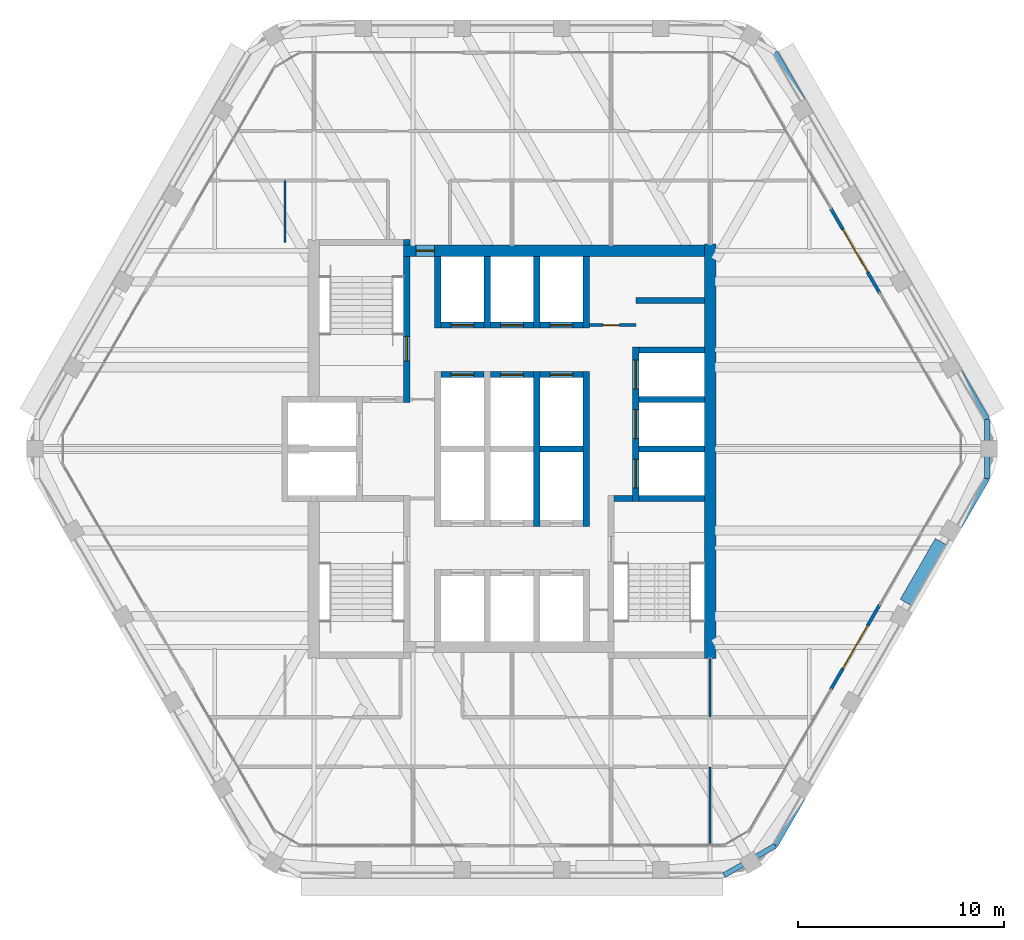
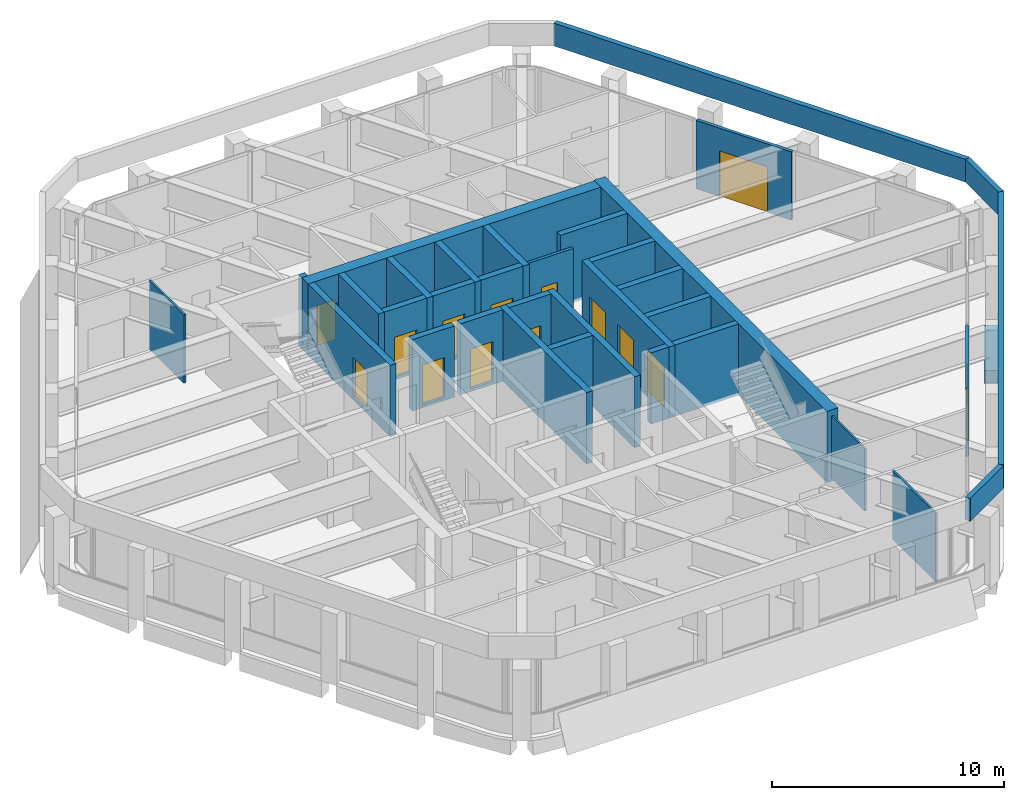
# One storey, part 9 of 14: 35 walls, 14 doors, 14 openings.
"""IFC4 building model written with IfcOpenShell, lengths in metres."""

from ifc_helpers import new_model, si_unit, direction, frame, frame_2d, origin, place, context, subcontext, project, spatial, rectangle, extrude, material, layer, layer_set, type_object, element, fill, save


model = new_model("IFC4")

# Units and contexts
model_context = context("Model", 3, precision=1e-05, world=origin(), true_north=direction((0.0, 1.0)))
body_context = subcontext(model_context, "Body", "Model", "MODEL_VIEW")
ifc_project = project(units=[si_unit("LENGTHUNIT", "METRE"), si_unit("AREAUNIT", "SQUARE_METRE"), si_unit("VOLUMEUNIT", "CUBIC_METRE"), si_unit("PLANEANGLEUNIT", "RADIAN"), si_unit("MASSUNIT", "GRAM", prefix="KILO")], contexts=[model_context])

# Site, building, storey
site_placement = place(None, origin())
site = spatial("IfcSite", under=ifc_project, at=site_placement, CompositionType="ELEMENT")
building_placement = place(site_placement, origin())
building = spatial("IfcBuilding", under=site, at=building_placement, Name="Kolab Exchange Tower", CompositionType="ELEMENT")
storey_placement = place(building_placement, frame((0.0, 0.0, 293.0)))
storey = spatial("IfcBuildingStorey", under=building, at=storey_placement, Name="L66", CompositionType="ELEMENT", Elevation=293.0)

# Wall, opening, door
ifc_material_1 = material(Name="Concrete C50/60", Category="concrete")
ifc_layer_1 = layer(ifc_material_1, 0.550048828125)
ifc_layer_set_1 = layer_set([ifc_layer_1], Name="Concrete C50/60")
wall_type_1 = type_object("IfcWallType", Name="CORE WALL 550 C50/60", PredefinedType="SHEAR", material=ifc_layer_set_1)
wall_1_placement = place(storey_placement, frame((-5.25, 9.60009765625, -0.14990234375), z_axis=(0.0, 0.0, 1.0), x_axis=(1.0, 0.0, 0.0)))
wall_1 = element("IfcWall", 1, at=wall_1_placement, inside=storey, type_object=wall_type_1, Name="wall/L66/core/031", PredefinedType="SHEAR", context=body_context, shape_type="SweptSolid", body=[
    extrude(rectangle(XDim=14.574951171875, YDim=0.550048828125, at=frame_2d((7.28759765625, 0.0))), origin(), (0.0, 0.0, 1.0), 3.75),
])
opening_1_placement = place(wall_1_placement, frame((0.60009765625, 0.0, 0.14990234375)))
opening_1 = element("IfcOpeningElement", 2, at=opening_1_placement, cuts=wall_1, Name="Opening D6-298", PredefinedType="OPENING", context=body_context, shape_type="SweptSolid", body=[
    extrude(rectangle(XDim=0.89990234375, YDim=2.10009765625, at=frame_2d((0.449951171875, 1.050048828125))), frame((0.0, 0.28515625, 0.0), z_axis=(0.0, -1.0, 0.0), x_axis=(1.0, 0.0, 0.0)), (0.0, 0.0, 1.0), 0.570068359375),
])
ifc_material_2 = material(Name="Steel S235", Category="steel")
door_type_1 = type_object("IfcDoorType", Name="CORE DOOR 900 EI 120", OperationType="SINGLE_SWING_LEFT", PredefinedType="DOOR", material=ifc_material_2)
door_1_placement = place(opening_1_placement, frame((0.89990234375, 0.0, 0.0), z_axis=(0.0, 0.0, 1.0), x_axis=(-1.0, 0.0, 0.0)))
door_1 = element("IfcDoor", 3, at=door_1_placement, inside=storey, type_object=door_type_1, Name="Core lobby door", OperationType="SINGLE_SWING_RIGHT", OverallHeight=2.10009765625, OverallWidth=0.89990234375, PredefinedType="DOOR", context=body_context, shape_type="SweptSolid", body=[
    extrude(rectangle(XDim=0.89990234375, YDim=2.10009765625, at=frame_2d((0.449951171875, 1.050048828125))), frame((0.0, 0.02490234375, 0.0), z_axis=(0.0, -1.0, 0.0), x_axis=(1.0, 0.0, 0.0)), (0.0, 0.0, 1.0), 0.050048828125),
])
fill(opening_1, door_1)

# Wall
wall_2_placement = place(storey_placement, frame((9.60009765625, -10.14990234375, -0.14990234375), z_axis=(0.0, 0.0, 1.0), x_axis=(0.0, 1.0, 0.0)))
element("IfcWall", 4, at=wall_2_placement, inside=storey, type_object=wall_type_1, Name="wall/L66/core/058", PredefinedType="SHEAR", context=body_context, shape_type="SweptSolid", body=[
    extrude(rectangle(XDim=20.074951171875, YDim=0.550048828125, at=frame_2d((10.03759765625, 0.0))), origin(), (0.0, 0.0, 1.0), 3.75),
])

# Wall, opening, door
ifc_material_3 = material(Name="Aluminium EN AW-6063 T6", Category="aluminium")
ifc_layer_2 = layer(ifc_material_3, 0.159912109375)
ifc_layer_set_2 = layer_set([ifc_layer_2], Name="Aluminium EN AW-6063 T6")
wall_type_2 = type_object("IfcWallType", Name="DOOR SURROUND WALL 160 ALUMINIUM FRAMED", PredefinedType="PARTITIONING", material=ifc_layer_set_2)
wall_3_placement = place(storey_placement, frame((15.44677734375, 11.65478515625, 0.0), z_axis=(0.0, 0.0, 1.0), x_axis=(0.499978080042, -0.866038058908, 0.0)))
wall_3 = element("IfcWall", 5, at=wall_3_placement, inside=storey, type_object=wall_type_2, Name="Door surround wall", PredefinedType="PARTITIONING", context=body_context, shape_type="SweptSolid", body=[
    extrude(rectangle(XDim=4.739990234375, YDim=0.159912109375, at=frame_2d((2.3701171875, 0.0))), origin(), (0.0, 0.0, 1.0), 3.60009765625),
])
opening_2_placement = place(wall_3_placement, frame((1.169921875, 0.0, 0.0)))
opening_2 = element("IfcOpeningElement", 6, at=opening_2_placement, cuts=wall_3, Name="Opening GD1-099", PredefinedType="OPENING", context=body_context, shape_type="SweptSolid", body=[
    extrude(rectangle(XDim=2.39990234375, YDim=2.39990234375, at=frame_2d((1.199951171875, 1.199951171875))), frame((0.0, 0.08984375, 0.0), z_axis=(0.0, -1.0, 0.0), x_axis=(1.0, 0.0, 0.0)), (0.0, 0.0, 1.0), 0.179931640625),
])
door_type_2 = type_object("IfcDoorType", Name="LOGGIA SLIDING GLASS DOOR 2400 X 2400", OperationType="DOUBLE_DOOR_SINGLE_SWING", PredefinedType="DOOR", material=ifc_material_3)
door_2_placement = place(opening_2_placement, origin())
door_2 = element("IfcDoor", 7, at=door_2_placement, inside=storey, type_object=door_type_2, Name="Loggia door", OperationType="DOUBLE_DOOR_SLIDING", OverallHeight=2.39990234375, OverallWidth=2.39990234375, PredefinedType="DOOR", context=body_context, shape_type="SweptSolid", body=[
    extrude(rectangle(XDim=2.39990234375, YDim=2.39990234375, at=frame_2d((1.199951171875, 1.199951171875))), frame((0.0, 0.02490234375, 0.0), z_axis=(0.0, -1.0, 0.0), x_axis=(1.0, 0.0, 0.0)), (0.0, 0.0, 1.0), 0.050048828125),
])
fill(opening_2, door_2)

wall_4_placement = place(storey_placement, frame((17.816650390625, -7.5498046875, 0.0), z_axis=(0.0, 0.0, 1.0), x_axis=(-0.499978080042, -0.866038058908, 0.0)))
wall_4 = element("IfcWall", 8, at=wall_4_placement, inside=storey, type_object=wall_type_2, Name="Door surround wall", PredefinedType="PARTITIONING", context=body_context, shape_type="SweptSolid", body=[
    extrude(rectangle(XDim=4.739990234375, YDim=0.159912109375, at=frame_2d((2.3701171875, 0.0))), origin(), (0.0, 0.0, 1.0), 3.60009765625),
])
opening_3_placement = place(wall_4_placement, frame((1.169921875, 0.0, 0.0)))
opening_3 = element("IfcOpeningElement", 9, at=opening_3_placement, cuts=wall_4, Name="Opening GD1-100", PredefinedType="OPENING", context=body_context, shape_type="SweptSolid", body=[
    extrude(rectangle(XDim=2.39990234375, YDim=2.39990234375, at=frame_2d((1.199951171875, 1.199951171875))), frame((0.0, 0.08984375, 0.0), z_axis=(0.0, -1.0, 0.0), x_axis=(1.0, 0.0, 0.0)), (0.0, 0.0, 1.0), 0.179931640625),
])
door_3_placement = place(opening_3_placement, origin())
door_3 = element("IfcDoor", 10, at=door_3_placement, inside=storey, type_object=door_type_2, Name="Loggia door", OperationType="DOUBLE_DOOR_SLIDING", OverallHeight=2.39990234375, OverallWidth=2.39990234375, PredefinedType="DOOR", context=body_context, shape_type="SweptSolid", body=[
    extrude(rectangle(XDim=2.39990234375, YDim=2.39990234375, at=frame_2d((1.199951171875, 1.199951171875))), frame((0.0, 0.02490234375, 0.0), z_axis=(0.0, -1.0, 0.0), x_axis=(1.0, 0.0, 0.0)), (0.0, 0.0, 1.0), 0.050048828125),
])
fill(opening_3, door_3)

# Walls
ifc_layer_3 = layer(ifc_material_1, 0.300048828125)
ifc_layer_set_3 = layer_set([ifc_layer_3], Name="Concrete C50/60")
wall_type_3 = type_object("IfcWallType", Name="LIFT SHAFT WALL 300 C50/60", PredefinedType="STANDARD", material=ifc_layer_set_3)
wall_5_placement = place(storey_placement, frame((1.35009765625, 0.0, -0.14990234375), z_axis=(0.0, 0.0, 1.0), x_axis=(1.0, 0.0, 0.0)))
element("IfcWall", 11, at=wall_5_placement, inside=storey, type_object=wall_type_3, Name="wall/L66/core/017", PredefinedType="STANDARD", context=body_context, shape_type="SweptSolid", body=[
    extrude(rectangle(XDim=2.099853515625, YDim=0.300048828125, at=frame_2d((1.0498046875, 0.0))), origin(), (0.0, 0.0, 1.0), 3.75),
])
for number, where, z_axis, x_axis, name in (
    (12, (6.14990234375, 0.0, -0.14990234375), (0.0, 0.0, 1.0), (1.0, 0.0, 0.0), "wall/L66/core/018"),
    (13, (6.14990234375, 2.39990234375, -0.14990234375), (0.0, 0.0, 1.0), (1.0, 0.0, 0.0), "wall/L66/core/022"),
):
    element("IfcWall", number, at=place(storey_placement, frame(where, z_axis=z_axis, x_axis=x_axis)), inside=storey, type_object=wall_type_3, Name=name, PredefinedType="STANDARD", context=body_context, shape_type="SweptSolid", body=[
        extrude(rectangle(XDim=3.175048828125, YDim=0.300048828125, at=frame_2d((1.58740234375, 0.0))), origin(), (0.0, 0.0, 1.0), 3.75),
    ])

# Wall, opening, door
wall_6_placement = place(storey_placement, frame((-3.449951171875, 3.60009765625, -0.14990234375), z_axis=(0.0, 0.0, 1.0), x_axis=(1.0, 0.0, 0.0)))
wall_6 = element("IfcWall", 14, at=wall_6_placement, inside=storey, type_object=wall_type_3, Name="wall/L66/core/023", PredefinedType="STANDARD", context=body_context, shape_type="SweptSolid", body=[
    extrude(rectangle(XDim=2.099853515625, YDim=0.300048828125, at=frame_2d((1.0498046875, 0.0))), origin(), (0.0, 0.0, 1.0), 3.75),
])
opening_4_placement = place(wall_6_placement, frame((0.5, 0.0, 0.14990234375)))
opening_4 = element("IfcOpeningElement", 15, at=opening_4_placement, cuts=wall_6, Name="Opening LD1-127", PredefinedType="OPENING", context=body_context, shape_type="SweptSolid", body=[
    extrude(rectangle(XDim=1.10009765625, YDim=2.10009765625, at=frame_2d((0.550048828125, 1.050048828125))), frame((0.0, 0.16015625, 0.0), z_axis=(0.0, -1.0, 0.0), x_axis=(1.0, 0.0, 0.0)), (0.0, 0.0, 1.0), 0.320068359375),
])
ifc_material_4 = material(Name="Stainless steel 316", Category="steel")
door_type_3 = type_object("IfcDoorType", Name="LANDING DOOR 1100 PASSENGER", OperationType="DOUBLE_DOOR_SLIDING", PredefinedType="DOOR", material=ifc_material_4)
door_4_placement = place(opening_4_placement, origin())
door_4 = element("IfcDoor", 16, at=door_4_placement, inside=storey, type_object=door_type_3, Name="Landing door HR4", OperationType="DOUBLE_DOOR_SLIDING", OverallHeight=2.10009765625, OverallWidth=1.10009765625, PredefinedType="DOOR", context=body_context, shape_type="SweptSolid", body=[
    extrude(rectangle(XDim=1.10009765625, YDim=2.10009765625, at=frame_2d((0.550048828125, 1.050048828125))), frame((0.0, 0.02490234375, 0.0), z_axis=(0.0, -1.0, 0.0), x_axis=(1.0, 0.0, 0.0)), (0.0, 0.0, 1.0), 0.050048828125),
])
fill(opening_4, door_4)

wall_7_placement = place(storey_placement, frame((-1.050048828125, 3.60009765625, -0.14990234375), z_axis=(0.0, 0.0, 1.0), x_axis=(1.0, 0.0, 0.0)))
wall_7 = element("IfcWall", 17, at=wall_7_placement, inside=storey, type_object=wall_type_3, Name="wall/L66/core/024", PredefinedType="STANDARD", context=body_context, shape_type="SweptSolid", body=[
    extrude(rectangle(XDim=2.10009765625, YDim=0.300048828125, at=frame_2d((1.050048828125, 0.0))), origin(), (0.0, 0.0, 1.0), 3.75),
])
opening_5_placement = place(wall_7_placement, frame((0.5, 0.0, 0.14990234375)))
opening_5 = element("IfcOpeningElement", 18, at=opening_5_placement, cuts=wall_7, Name="Opening LD1-128", PredefinedType="OPENING", context=body_context, shape_type="SweptSolid", body=[
    extrude(rectangle(XDim=1.10009765625, YDim=2.10009765625, at=frame_2d((0.550048828125, 1.050048828125))), frame((0.0, 0.16015625, 0.0), z_axis=(0.0, -1.0, 0.0), x_axis=(1.0, 0.0, 0.0)), (0.0, 0.0, 1.0), 0.320068359375),
])
door_5_placement = place(opening_5_placement, origin())
door_5 = element("IfcDoor", 19, at=door_5_placement, inside=storey, type_object=door_type_3, Name="Landing door HR5", OperationType="DOUBLE_DOOR_SLIDING", OverallHeight=2.10009765625, OverallWidth=1.10009765625, PredefinedType="DOOR", context=body_context, shape_type="SweptSolid", body=[
    extrude(rectangle(XDim=1.10009765625, YDim=2.10009765625, at=frame_2d((0.550048828125, 1.050048828125))), frame((0.0, 0.02490234375, 0.0), z_axis=(0.0, -1.0, 0.0), x_axis=(1.0, 0.0, 0.0)), (0.0, 0.0, 1.0), 0.050048828125),
])
fill(opening_5, door_5)

wall_8_placement = place(storey_placement, frame((1.35009765625, 3.60009765625, -0.14990234375), z_axis=(0.0, 0.0, 1.0), x_axis=(1.0, 0.0, 0.0)))
wall_8 = element("IfcWall", 20, at=wall_8_placement, inside=storey, type_object=wall_type_3, Name="wall/L66/core/025", PredefinedType="STANDARD", context=body_context, shape_type="SweptSolid", body=[
    extrude(rectangle(XDim=2.099853515625, YDim=0.300048828125, at=frame_2d((1.0498046875, 0.0))), origin(), (0.0, 0.0, 1.0), 3.75),
])
opening_6_placement = place(wall_8_placement, frame((0.5, 0.0, 0.14990234375)))
opening_6 = element("IfcOpeningElement", 21, at=opening_6_placement, cuts=wall_8, Name="Opening LD1-129", PredefinedType="OPENING", context=body_context, shape_type="SweptSolid", body=[
    extrude(rectangle(XDim=1.10009765625, YDim=2.10009765625, at=frame_2d((0.550048828125, 1.050048828125))), frame((0.0, 0.16015625, 0.0), z_axis=(0.0, -1.0, 0.0), x_axis=(1.0, 0.0, 0.0)), (0.0, 0.0, 1.0), 0.320068359375),
])
door_6_placement = place(opening_6_placement, origin())
door_6 = element("IfcDoor", 22, at=door_6_placement, inside=storey, type_object=door_type_3, Name="Landing door HR6", OperationType="DOUBLE_DOOR_SLIDING", OverallHeight=2.10009765625, OverallWidth=1.10009765625, PredefinedType="DOOR", context=body_context, shape_type="SweptSolid", body=[
    extrude(rectangle(XDim=1.10009765625, YDim=2.10009765625, at=frame_2d((0.550048828125, 1.050048828125))), frame((0.0, 0.02490234375, 0.0), z_axis=(0.0, -1.0, 0.0), x_axis=(1.0, 0.0, 0.0)), (0.0, 0.0, 1.0), 0.050048828125),
])
fill(opening_6, door_6)

# Wall
wall_9_placement = place(storey_placement, frame((6.14990234375, 4.800048828125, -0.14990234375), z_axis=(0.0, 0.0, 1.0), x_axis=(1.0, 0.0, 0.0)))
element("IfcWall", 23, at=wall_9_placement, inside=storey, type_object=wall_type_3, Name="wall/L66/core/026", PredefinedType="STANDARD", context=body_context, shape_type="SweptSolid", body=[
    extrude(rectangle(XDim=3.175048828125, YDim=0.300048828125, at=frame_2d((1.58740234375, 0.0))), origin(), (0.0, 0.0, 1.0), 3.75),
])

# Wall, opening, door
wall_10_placement = place(storey_placement, frame((-3.449951171875, 6.0, -0.14990234375), z_axis=(0.0, 0.0, 1.0), x_axis=(1.0, 0.0, 0.0)))
wall_10 = element("IfcWall", 24, at=wall_10_placement, inside=storey, type_object=wall_type_3, Name="wall/L66/core/027", PredefinedType="STANDARD", context=body_context, shape_type="SweptSolid", body=[
    extrude(rectangle(XDim=2.099853515625, YDim=0.300048828125, at=frame_2d((1.0498046875, 0.0))), origin(), (0.0, 0.0, 1.0), 3.75),
])
opening_7_placement = place(wall_10_placement, frame((0.5, 0.0, 0.14990234375)))
opening_7 = element("IfcOpeningElement", 25, at=opening_7_placement, cuts=wall_10, Name="Opening LD1-121", PredefinedType="OPENING", context=body_context, shape_type="SweptSolid", body=[
    extrude(rectangle(XDim=1.10009765625, YDim=2.10009765625, at=frame_2d((0.550048828125, 1.050048828125))), frame((0.0, 0.16015625, 0.0), z_axis=(0.0, -1.0, 0.0), x_axis=(1.0, 0.0, 0.0)), (0.0, 0.0, 1.0), 0.320068359375),
])
door_7_placement = place(opening_7_placement, origin())
door_7 = element("IfcDoor", 26, at=door_7_placement, inside=storey, type_object=door_type_3, Name="Landing door HR1", OperationType="DOUBLE_DOOR_SLIDING", OverallHeight=2.10009765625, OverallWidth=1.10009765625, PredefinedType="DOOR", context=body_context, shape_type="SweptSolid", body=[
    extrude(rectangle(XDim=1.10009765625, YDim=2.10009765625, at=frame_2d((0.550048828125, 1.050048828125))), frame((0.0, 0.02490234375, 0.0), z_axis=(0.0, -1.0, 0.0), x_axis=(1.0, 0.0, 0.0)), (0.0, 0.0, 1.0), 0.050048828125),
])
fill(opening_7, door_7)

wall_11_placement = place(storey_placement, frame((-1.050048828125, 6.0, -0.14990234375), z_axis=(0.0, 0.0, 1.0), x_axis=(1.0, 0.0, 0.0)))
wall_11 = element("IfcWall", 27, at=wall_11_placement, inside=storey, type_object=wall_type_3, Name="wall/L66/core/028", PredefinedType="STANDARD", context=body_context, shape_type="SweptSolid", body=[
    extrude(rectangle(XDim=2.10009765625, YDim=0.300048828125, at=frame_2d((1.050048828125, 0.0))), origin(), (0.0, 0.0, 1.0), 3.75),
])
opening_8_placement = place(wall_11_placement, frame((0.5, 0.0, 0.14990234375)))
opening_8 = element("IfcOpeningElement", 28, at=opening_8_placement, cuts=wall_11, Name="Opening LD1-125", PredefinedType="OPENING", context=body_context, shape_type="SweptSolid", body=[
    extrude(rectangle(XDim=1.10009765625, YDim=2.10009765625, at=frame_2d((0.550048828125, 1.050048828125))), frame((0.0, 0.16015625, 0.0), z_axis=(0.0, -1.0, 0.0), x_axis=(1.0, 0.0, 0.0)), (0.0, 0.0, 1.0), 0.320068359375),
])
door_8_placement = place(opening_8_placement, origin())
door_8 = element("IfcDoor", 29, at=door_8_placement, inside=storey, type_object=door_type_3, Name="Landing door HR2", OperationType="DOUBLE_DOOR_SLIDING", OverallHeight=2.10009765625, OverallWidth=1.10009765625, PredefinedType="DOOR", context=body_context, shape_type="SweptSolid", body=[
    extrude(rectangle(XDim=1.10009765625, YDim=2.10009765625, at=frame_2d((0.550048828125, 1.050048828125))), frame((0.0, 0.02490234375, 0.0), z_axis=(0.0, -1.0, 0.0), x_axis=(1.0, 0.0, 0.0)), (0.0, 0.0, 1.0), 0.050048828125),
])
fill(opening_8, door_8)

wall_12_placement = place(storey_placement, frame((1.35009765625, 6.0, -0.14990234375), z_axis=(0.0, 0.0, 1.0), x_axis=(1.0, 0.0, 0.0)))
wall_12 = element("IfcWall", 30, at=wall_12_placement, inside=storey, type_object=wall_type_3, Name="wall/L66/core/029", PredefinedType="STANDARD", context=body_context, shape_type="SweptSolid", body=[
    extrude(rectangle(XDim=2.099853515625, YDim=0.300048828125, at=frame_2d((1.0498046875, 0.0))), origin(), (0.0, 0.0, 1.0), 3.75),
])
opening_9_placement = place(wall_12_placement, frame((0.5, 0.0, 0.14990234375)))
opening_9 = element("IfcOpeningElement", 31, at=opening_9_placement, cuts=wall_12, Name="Opening LD1-126", PredefinedType="OPENING", context=body_context, shape_type="SweptSolid", body=[
    extrude(rectangle(XDim=1.10009765625, YDim=2.10009765625, at=frame_2d((0.550048828125, 1.050048828125))), frame((0.0, 0.16015625, 0.0), z_axis=(0.0, -1.0, 0.0), x_axis=(1.0, 0.0, 0.0)), (0.0, 0.0, 1.0), 0.320068359375),
])
door_9_placement = place(opening_9_placement, origin())
door_9 = element("IfcDoor", 32, at=door_9_placement, inside=storey, type_object=door_type_3, Name="Landing door HR3", OperationType="DOUBLE_DOOR_SLIDING", OverallHeight=2.10009765625, OverallWidth=1.10009765625, PredefinedType="DOOR", context=body_context, shape_type="SweptSolid", body=[
    extrude(rectangle(XDim=1.10009765625, YDim=2.10009765625, at=frame_2d((0.550048828125, 1.050048828125))), frame((0.0, 0.02490234375, 0.0), z_axis=(0.0, -1.0, 0.0), x_axis=(1.0, 0.0, 0.0)), (0.0, 0.0, 1.0), 0.050048828125),
])
fill(opening_9, door_9)

# Walls
wall_13_placement = place(storey_placement, frame((6.0, 7.199951171875, -0.14990234375), z_axis=(0.0, 0.0, 1.0), x_axis=(1.0, 0.0, 0.0)))
element("IfcWall", 33, at=wall_13_placement, inside=storey, type_object=wall_type_3, Name="wall/L66/core/030", PredefinedType="STANDARD", context=body_context, shape_type="SweptSolid", body=[
    extrude(rectangle(XDim=3.324951171875, YDim=0.300048828125, at=frame_2d((1.66259765625, 0.0))), origin(), (0.0, 0.0, 1.0), 3.75),
])
for number, where, z_axis, x_axis, name in (
    (34, (-3.60009765625, 5.85009765625, -0.14990234375), (0.0, 0.0, 1.0), (0.0, 1.0, 0.0), "wall/L66/core/045"),
    (35, (-1.199951171875, 5.85009765625, -0.14990234375), (0.0, 0.0, 1.0), (0.0, 1.0, 0.0), "wall/L66/core/048"),
):
    element("IfcWall", number, at=place(storey_placement, frame(where, z_axis=z_axis, x_axis=x_axis)), inside=storey, type_object=wall_type_3, Name=name, PredefinedType="STANDARD", context=body_context, shape_type="SweptSolid", body=[
        extrude(rectangle(XDim=3.474853515625, YDim=0.300048828125, at=frame_2d((1.7373046875, 0.0))), origin(), (0.0, 0.0, 1.0), 3.75),
    ])
wall_14_placement = place(storey_placement, frame((1.199951171875, -3.75, -0.14990234375), z_axis=(0.0, 0.0, 1.0), x_axis=(0.0, 1.0, 0.0)))
element("IfcWall", 36, at=wall_14_placement, inside=storey, type_object=wall_type_3, Name="wall/L66/core/050", PredefinedType="STANDARD", context=body_context, shape_type="SweptSolid", body=[
    extrude(rectangle(XDim=7.5, YDim=0.300048828125, at=frame_2d((3.75, 0.0))), origin(), (0.0, 0.0, 1.0), 3.75),
])
wall_15_placement = place(storey_placement, frame((1.199951171875, 5.85009765625, -0.14990234375), z_axis=(0.0, 0.0, 1.0), x_axis=(0.0, 1.0, 0.0)))
element("IfcWall", 37, at=wall_15_placement, inside=storey, type_object=wall_type_3, Name="wall/L66/core/051", PredefinedType="STANDARD", context=body_context, shape_type="SweptSolid", body=[
    extrude(rectangle(XDim=3.474853515625, YDim=0.300048828125, at=frame_2d((1.7373046875, 0.0))), origin(), (0.0, 0.0, 1.0), 3.75),
])
wall_16_placement = place(storey_placement, frame((3.60009765625, -3.75, -0.14990234375), z_axis=(0.0, 0.0, 1.0), x_axis=(0.0, 1.0, 0.0)))
element("IfcWall", 38, at=wall_16_placement, inside=storey, type_object=wall_type_3, Name="wall/L66/core/053", PredefinedType="STANDARD", context=body_context, shape_type="SweptSolid", body=[
    extrude(rectangle(XDim=7.5, YDim=0.300048828125, at=frame_2d((3.75, 0.0))), origin(), (0.0, 0.0, 1.0), 3.75),
])
wall_17_placement = place(storey_placement, frame((3.60009765625, 5.85009765625, -0.14990234375), z_axis=(0.0, 0.0, 1.0), x_axis=(0.0, 1.0, 0.0)))
element("IfcWall", 39, at=wall_17_placement, inside=storey, type_object=wall_type_3, Name="wall/L66/core/054", PredefinedType="STANDARD", context=body_context, shape_type="SweptSolid", body=[
    extrude(rectangle(XDim=3.474853515625, YDim=0.300048828125, at=frame_2d((1.7373046875, 0.0))), origin(), (0.0, 0.0, 1.0), 3.75),
])

# Wall, openings, doors
wall_18_placement = place(storey_placement, frame((6.0, -2.550048828125, -0.14990234375), z_axis=(0.0, 0.0, 1.0), x_axis=(0.0, 1.0, 0.0)))
wall_18 = element("IfcWall", 40, at=wall_18_placement, inside=storey, type_object=wall_type_3, Name="wall/L66/core/057", PredefinedType="STANDARD", context=body_context, shape_type="SweptSolid", body=[
    extrude(rectangle(XDim=7.5, YDim=0.300048828125, at=frame_2d((3.75, 0.0))), origin(), (0.0, 0.0, 1.0), 3.75),
])
opening_10_placement = place(wall_18_placement, frame((0.64990234375, 0.0, 0.14990234375)))
opening_10 = element("IfcOpeningElement", 41, at=opening_10_placement, cuts=wall_18, Name="Opening LD3-040", PredefinedType="OPENING", context=body_context, shape_type="SweptSolid", body=[
    extrude(rectangle(XDim=1.39990234375, YDim=2.10009765625, at=frame_2d((0.699951171875, 1.050048828125))), frame((0.0, 0.16015625, 0.0), z_axis=(0.0, -1.0, 0.0), x_axis=(1.0, 0.0, 0.0)), (0.0, 0.0, 1.0), 0.320068359375),
])
opening_11_placement = place(wall_18_placement, frame((3.050048828125, 0.0, 0.14990234375)))
opening_11 = element("IfcOpeningElement", 42, at=opening_11_placement, cuts=wall_18, Name="Opening LD3-041", PredefinedType="OPENING", context=body_context, shape_type="SweptSolid", body=[
    extrude(rectangle(XDim=1.39990234375, YDim=2.10009765625, at=frame_2d((0.699951171875, 1.050048828125))), frame((0.0, 0.16015625, 0.0), z_axis=(0.0, -1.0, 0.0), x_axis=(1.0, 0.0, 0.0)), (0.0, 0.0, 1.0), 0.320068359375),
])
opening_12_placement = place(wall_18_placement, frame((5.449951171875, 0.0, 0.14990234375)))
opening_12 = element("IfcOpeningElement", 43, at=opening_12_placement, cuts=wall_18, Name="Opening LD3-042", PredefinedType="OPENING", context=body_context, shape_type="SweptSolid", body=[
    extrude(rectangle(XDim=1.39990234375, YDim=2.10009765625, at=frame_2d((0.699951171875, 1.050048828125))), frame((0.0, 0.16015625, 0.0), z_axis=(0.0, -1.0, 0.0), x_axis=(1.0, 0.0, 0.0)), (0.0, 0.0, 1.0), 0.320068359375),
])
door_type_4 = type_object("IfcDoorType", Name="LANDING DOOR 1400 SERVICE", OperationType="DOUBLE_DOOR_SLIDING", PredefinedType="DOOR", material=ifc_material_4)
door_10_placement = place(opening_10_placement, origin())
door_10 = element("IfcDoor", 44, at=door_10_placement, inside=storey, type_object=door_type_4, Name="Landing door SV1", OperationType="DOUBLE_DOOR_SLIDING", OverallHeight=2.10009765625, OverallWidth=1.39990234375, PredefinedType="DOOR", context=body_context, shape_type="SweptSolid", body=[
    extrude(rectangle(XDim=1.39990234375, YDim=2.10009765625, at=frame_2d((0.699951171875, 1.050048828125))), frame((0.0, 0.02490234375, 0.0), z_axis=(0.0, -1.0, 0.0), x_axis=(1.0, 0.0, 0.0)), (0.0, 0.0, 1.0), 0.050048828125),
])
fill(opening_10, door_10)
door_11_placement = place(opening_11_placement, origin())
door_11 = element("IfcDoor", 45, at=door_11_placement, inside=storey, type_object=door_type_4, Name="Landing door SV2", OperationType="DOUBLE_DOOR_SLIDING", OverallHeight=2.10009765625, OverallWidth=1.39990234375, PredefinedType="DOOR", context=body_context, shape_type="SweptSolid", body=[
    extrude(rectangle(XDim=1.39990234375, YDim=2.10009765625, at=frame_2d((0.699951171875, 1.050048828125))), frame((0.0, 0.02490234375, 0.0), z_axis=(0.0, -1.0, 0.0), x_axis=(1.0, 0.0, 0.0)), (0.0, 0.0, 1.0), 0.050048828125),
])
fill(opening_11, door_11)
door_12_placement = place(opening_12_placement, origin())
door_12 = element("IfcDoor", 46, at=door_12_placement, inside=storey, type_object=door_type_4, Name="Landing door SV3", OperationType="DOUBLE_DOOR_SLIDING", OverallHeight=2.10009765625, OverallWidth=1.39990234375, PredefinedType="DOOR", context=body_context, shape_type="SweptSolid", body=[
    extrude(rectangle(XDim=1.39990234375, YDim=2.10009765625, at=frame_2d((0.699951171875, 1.050048828125))), frame((0.0, 0.02490234375, 0.0), z_axis=(0.0, -1.0, 0.0), x_axis=(1.0, 0.0, 0.0)), (0.0, 0.0, 1.0), 0.050048828125),
])
fill(opening_12, door_12)

# Walls
ifc_material_5 = material(Name="Gypsum board", Category="gypsum")
ifc_layer_4 = layer(ifc_material_5, 0.10009765625)
ifc_layer_set_4 = layer_set([ifc_layer_4], Name="Gypsum board")
wall_type_4 = type_object("IfcWallType", Name="PARTITION 100", PredefinedType="PARTITIONING", material=ifc_layer_set_4)
wall_19_placement = place(storey_placement, frame((9.60009765625, -19.114501953125, 0.0), z_axis=(0.0, 0.0, 1.0), x_axis=(0.0, 1.0, 0.0)))
element("IfcWall", 47, at=wall_19_placement, inside=storey, type_object=wall_type_4, Name="Partition 000", PredefinedType="PARTITIONING", context=body_context, shape_type="SweptSolid", body=[
    extrude(rectangle(XDim=3.714599609375, YDim=0.10009765625, at=frame_2d((1.857421875, 0.0))), origin(), (0.0, 0.0, 1.0), 3.60009765625),
])
wall_20_placement = place(storey_placement, frame((9.60009765625, -13.0, 0.0), z_axis=(0.0, 0.0, 1.0), x_axis=(0.0, 1.0, 0.0)))
element("IfcWall", 48, at=wall_20_placement, inside=storey, type_object=wall_type_4, Name="Partition 001", PredefinedType="PARTITIONING", context=body_context, shape_type="SweptSolid", body=[
    extrude(rectangle(XDim=2.85009765625, YDim=0.10009765625, at=frame_2d((1.425048828125, 0.0))), origin(), (0.0, 0.0, 1.0), 3.2900390625),
])
wall_21_placement = place(storey_placement, frame((-11.0, 10.0, 0.0), z_axis=(0.0, 0.0, 1.0), x_axis=(0.0, 1.0, 0.0)))
element("IfcWall", 49, at=wall_21_placement, inside=storey, type_object=wall_type_4, Name="Partition 017", PredefinedType="PARTITIONING", context=body_context, shape_type="SweptSolid", body=[
    extrude(rectangle(XDim=3.0, YDim=0.10009765625, at=frame_2d((1.5, 0.0))), origin(), (0.0, 0.0, 1.0), 3.60009765625),
])

# Wall, opening, door
ifc_layer_5 = layer(ifc_material_5, 0.14990234375)
ifc_layer_set_5 = layer_set([ifc_layer_5], Name="Gypsum board")
wall_type_5 = type_object("IfcWallType", Name="PARTITION 150 FIRE-RATED", PredefinedType="PARTITIONING", material=ifc_layer_set_5)
wall_22_placement = place(storey_placement, frame((3.75, 6.0, 0.0), z_axis=(0.0, 0.0, 1.0), x_axis=(1.0, 0.0, 0.0)))
wall_22 = element("IfcWall", 50, at=wall_22_placement, inside=storey, type_object=wall_type_5, Name="Partition 022", PredefinedType="PARTITIONING", context=body_context, shape_type="SweptSolid", body=[
    extrude(rectangle(XDim=2.25, YDim=0.14990234375, at=frame_2d((1.125, 0.0))), origin(), (0.0, 0.0, 1.0), 3.60009765625),
])
opening_13_placement = place(wall_22_placement, frame((0.64990234375, 0.0, 0.0)))
opening_13 = element("IfcOpeningElement", 51, at=opening_13_placement, cuts=wall_22, Name="Opening D7-037", PredefinedType="OPENING", context=body_context, shape_type="SweptSolid", body=[
    extrude(rectangle(XDim=0.800048828125, YDim=2.10009765625, at=frame_2d((0.39990234375, 1.050048828125))), frame((0.0, 0.0849609375, 0.0), z_axis=(0.0, -1.0, 0.0), x_axis=(1.0, 0.0, 0.0)), (0.0, 0.0, 1.0), 0.169921875),
])
door_type_5 = type_object("IfcDoorType", Name="FLUSH DOOR 800 FD60", OperationType="SINGLE_SWING_LEFT", PredefinedType="DOOR", material=ifc_material_2)
door_13_placement = place(opening_13_placement, origin())
door_13 = element("IfcDoor", 52, at=door_13_placement, inside=storey, type_object=door_type_5, Name="Door L66-023", OperationType="SINGLE_SWING_LEFT", OverallHeight=2.10009765625, OverallWidth=0.800048828125, PredefinedType="DOOR", context=body_context, shape_type="SweptSolid", body=[
    extrude(rectangle(XDim=0.800048828125, YDim=2.10009765625, at=frame_2d((0.39990234375, 1.050048828125))), frame((0.0, 0.02490234375, 0.0), z_axis=(0.0, -1.0, 0.0), x_axis=(1.0, 0.0, 0.0)), (0.0, 0.0, 1.0), 0.050048828125),
])
fill(opening_13, door_13)

# Walls
ifc_material_6 = material(Name="Granite facing", Category="masonry")
ifc_layer_6 = layer(ifc_material_6, 0.0400390625)
ifc_material_7 = material(Name="Concrete C40/50 precast", Category="concrete")
ifc_layer_7 = layer(ifc_material_7, 0.56005859375)
ifc_layer_set_6 = layer_set([ifc_layer_6, ifc_layer_7], Name="Concrete C40/50 precast")
wall_type_6 = type_object("IfcWallType", Name="PLANTER BOX 600 X 700 SOIL DEPTH 550", PredefinedType="USERDEFINED", material=ifc_layer_set_6)
wall_23_placement = place(storey_placement, frame((20.774169921875, -4.48828125, 0.0), z_axis=(0.0, 0.0, 1.0), x_axis=(-0.499977295307, -0.866038511948, 0.0)))
element("IfcWall", 53, at=wall_23_placement, inside=storey, type_object=wall_type_6, Name="Planter", ObjectType="PLANTER", PredefinedType="USERDEFINED", context=body_context, shape_type="SweptSolid", body=[
    extrude(rectangle(XDim=3.400146484375, YDim=0.60009765625, at=frame_2d((1.7001953125, 0.0))), origin(), (0.0, 0.0, 1.0), 0.699951171875),
])
ifc_layer_8 = layer(ifc_material_6, 0.0400390625)
ifc_layer_9 = layer(ifc_material_7, 0.2099609375)
ifc_layer_set_7 = layer_set([ifc_layer_8, ifc_layer_9], Name="Concrete C40/50 precast")
wall_type_7 = type_object("IfcWallType", Name="ROOF PARAPET 250", PredefinedType="PARAPET", material=ifc_layer_set_7)
wall_24_placement = place(storey_placement, frame((12.7578125, 19.22216796875, 3.89990234375), z_axis=(0.0, 0.0, 1.0), x_axis=(0.499994135611, -0.866028789565, 0.0)))
element("IfcWall", 54, at=wall_24_placement, inside=storey, type_object=wall_type_7, Name="Roof parapet", PredefinedType="PARAPET", context=body_context, shape_type="SweptSolid", body=[
    extrude(rectangle(XDim=20.535888671875, YDim=0.25, at=frame_2d((10.26806640625, 0.0))), origin(), (0.0, 0.0, 1.0), 1.2001953125),
])
wall_25_placement = place(storey_placement, frame((23.025634765625, 1.4375, 3.89990234375), z_axis=(0.0, 0.0, 1.0), x_axis=(0.0, -1.0, 0.0)))
element("IfcWall", 55, at=wall_25_placement, inside=storey, type_object=wall_type_7, Name="Roof parapet", PredefinedType="PARAPET", context=body_context, shape_type="SweptSolid", body=[
    extrude(rectangle(XDim=2.875, YDim=0.25, at=frame_2d((1.4375, 0.0))), origin(), (0.0, 0.0, 1.0), 1.2001953125),
])
wall_26_placement = place(storey_placement, frame((23.025634765625, -1.4375, 3.89990234375), z_axis=(0.0, 0.0, 1.0), x_axis=(-0.499994135611, -0.866028789565, 0.0)))
element("IfcWall", 56, at=wall_26_placement, inside=storey, type_object=wall_type_7, Name="Roof parapet", PredefinedType="PARAPET", context=body_context, shape_type="SweptSolid", body=[
    extrude(rectangle(XDim=20.535888671875, YDim=0.25, at=frame_2d((10.26806640625, 0.0))), origin(), (0.0, 0.0, 1.0), 1.2001953125),
])
wall_27_placement = place(storey_placement, frame((12.7578125, -19.22216796875, 3.89990234375), z_axis=(0.0, 0.0, 1.0), x_axis=(-0.866018712932, -0.500011588718, 0.0)))
element("IfcWall", 57, at=wall_27_placement, inside=storey, type_object=wall_type_7, Name="Roof parapet", PredefinedType="PARAPET", context=body_context, shape_type="SweptSolid", body=[
    extrude(rectangle(XDim=2.875, YDim=0.25, at=frame_2d((1.4375, 0.0))), origin(), (0.0, 0.0, 1.0), 1.2001953125),
])
ifc_layer_10 = layer(ifc_material_1, 0.300048828125)
ifc_layer_set_8 = layer_set([ifc_layer_10], Name="Concrete C50/60")
wall_type_8 = type_object("IfcWallType", Name="STAIR ENCLOSURE WALL 300 C50/60", PredefinedType="STANDARD", material=ifc_layer_set_8)
wall_28_placement = place(storey_placement, frame((4.949951171875, -2.39990234375, -0.14990234375), z_axis=(0.0, 0.0, 1.0), x_axis=(1.0, 0.0, 0.0)))
element("IfcWall", 58, at=wall_28_placement, inside=storey, type_object=wall_type_8, Name="wall/L66/core/012", PredefinedType="STANDARD", context=body_context, shape_type="SweptSolid", body=[
    extrude(rectangle(XDim=0.900146484375, YDim=0.300048828125, at=frame_2d((0.4501953125, 0.0))), origin(), (0.0, 0.0, 1.0), 3.75),
])
wall_29_placement = place(storey_placement, frame((6.14990234375, -2.39990234375, -0.14990234375), z_axis=(0.0, 0.0, 1.0), x_axis=(1.0, 0.0, 0.0)))
element("IfcWall", 59, at=wall_29_placement, inside=storey, type_object=wall_type_8, Name="wall/L66/core/013", PredefinedType="STANDARD", context=body_context, shape_type="SweptSolid", body=[
    extrude(rectangle(XDim=3.175048828125, YDim=0.300048828125, at=frame_2d((1.58740234375, 0.0))), origin(), (0.0, 0.0, 1.0), 3.75),
])

# Wall, opening, door
wall_30_placement = place(storey_placement, frame((-5.10009765625, 2.25, -0.14990234375), z_axis=(0.0, 0.0, 1.0), x_axis=(0.0, 1.0, 0.0)))
wall_30 = element("IfcWall", 60, at=wall_30_placement, inside=storey, type_object=wall_type_8, Name="wall/L66/core/041", PredefinedType="STANDARD", context=body_context, shape_type="SweptSolid", body=[
    extrude(rectangle(XDim=7.074951171875, YDim=0.300048828125, at=frame_2d((3.53759765625, 0.0))), origin(), (0.0, 0.0, 1.0), 3.75),
])
opening_14_placement = place(wall_30_placement, frame((2.0, 0.0, 0.14990234375)))
opening_14 = element("IfcOpeningElement", 61, at=opening_14_placement, cuts=wall_30, Name="Opening D4-079", PredefinedType="OPENING", context=body_context, shape_type="SweptSolid", body=[
    extrude(rectangle(XDim=1.199951171875, YDim=2.10009765625, at=frame_2d((0.60009765625, 1.050048828125))), frame((0.0, 0.16015625, 0.0), z_axis=(0.0, -1.0, 0.0), x_axis=(1.0, 0.0, 0.0)), (0.0, 0.0, 1.0), 0.320068359375),
])
door_type_6 = type_object("IfcDoorType", Name="STAIR DOOR 1200 EI 120", OperationType="SINGLE_SWING_LEFT", PredefinedType="DOOR", material=ifc_material_2)
door_14_placement = place(opening_14_placement, origin())
door_14 = element("IfcDoor", 62, at=door_14_placement, inside=storey, type_object=door_type_6, Name="Stair 1 door", OperationType="SINGLE_SWING_LEFT", OverallHeight=2.10009765625, OverallWidth=1.199951171875, PredefinedType="DOOR", context=body_context, shape_type="SweptSolid", body=[
    extrude(rectangle(XDim=1.199951171875, YDim=2.10009765625, at=frame_2d((0.60009765625, 1.050048828125))), frame((0.0, 0.02490234375, 0.0), z_axis=(0.0, -1.0, 0.0), x_axis=(1.0, 0.0, 0.0)), (0.0, 0.0, 1.0), 0.050048828125),
])
fill(opening_14, door_14)

# Wall
wall_31_placement = place(storey_placement, frame((-5.10009765625, 9.875, -0.14990234375), z_axis=(0.0, 0.0, 1.0), x_axis=(0.0, 1.0, 0.0)))
element("IfcWall", 63, at=wall_31_placement, inside=storey, type_object=wall_type_8, Name="wall/L66/core/042", PredefinedType="STANDARD", context=body_context, shape_type="SweptSolid", body=[
    extrude(rectangle(XDim=0.27490234375, YDim=0.300048828125, at=frame_2d((0.137451171875, 0.0))), origin(), (0.0, 0.0, 1.0), 3.75),
])

save(model, "model.ifc")
